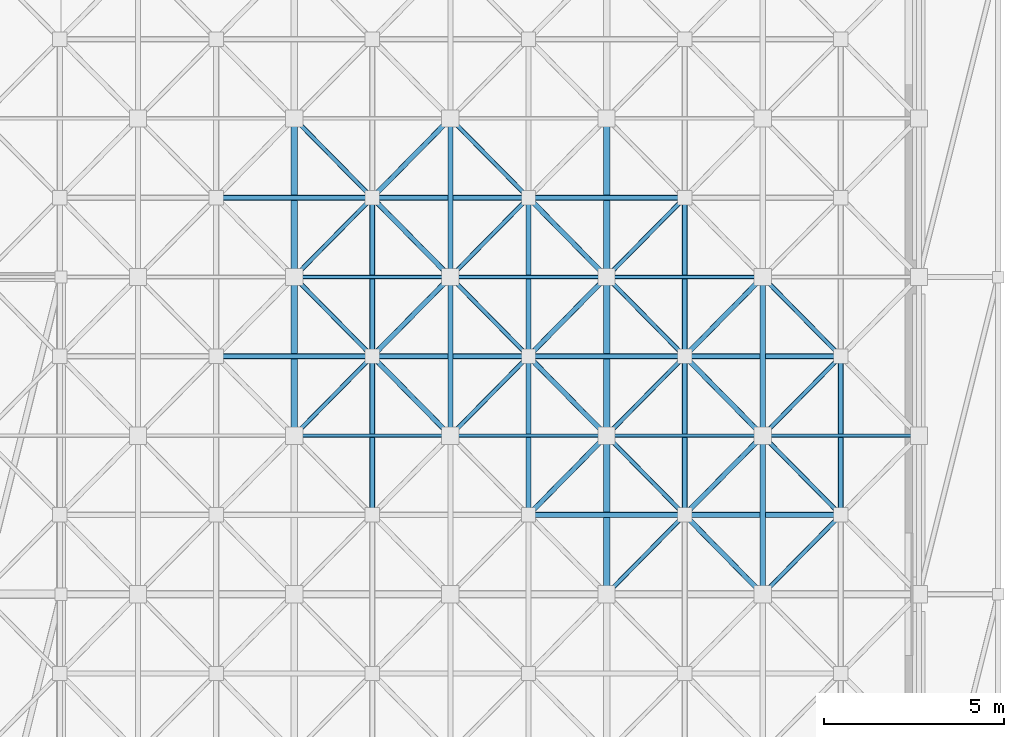
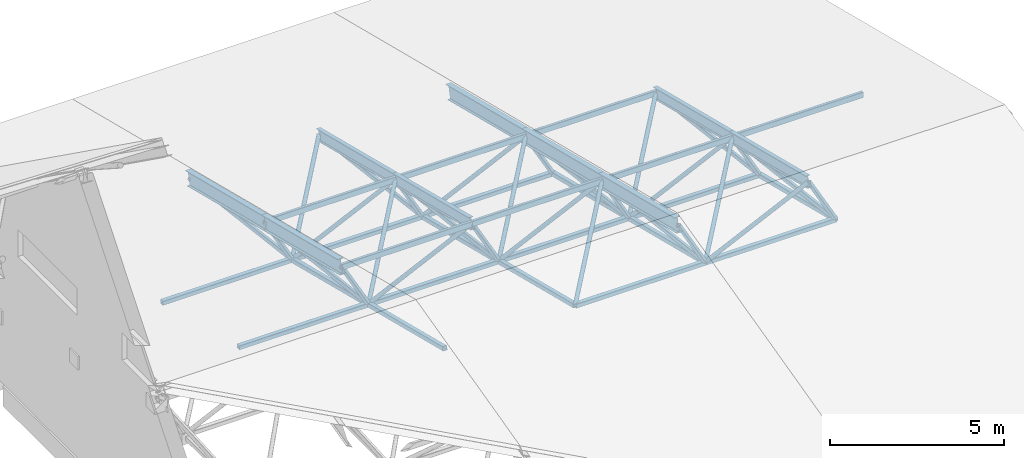
# One storey, part 30 of 55: 61 members.
"""IFC4 building model written with IfcOpenShell, lengths in metres."""

from ifc_helpers import new_model, si_unit, direction, frame, origin, origin_2d, place, context, subcontext, project, spatial, hollow_rectangle, hollow_circle, i_section, extrude, material, material_profile, profile_set, type_object, element, save


model = new_model("IFC4")

# Units and contexts
model_context = context("Model", 3, precision=1e-05, world=origin(), true_north=direction((0.0, 1.0)))
body_context = subcontext(model_context, "Body", "Model", "MODEL_VIEW")
ifc_project = project(units=[si_unit("LENGTHUNIT", "METRE"), si_unit("AREAUNIT", "SQUARE_METRE"), si_unit("VOLUMEUNIT", "CUBIC_METRE"), si_unit("PLANEANGLEUNIT", "RADIAN"), si_unit("MASSUNIT", "GRAM", prefix="KILO")], contexts=[model_context])

# Site, building, storey
site_placement = place(None, origin())
site = spatial("IfcSite", under=ifc_project, at=site_placement, CompositionType="ELEMENT")
building_placement = place(site_placement, origin())
building = spatial("IfcBuilding", under=site, at=building_placement, Name="Varnakota Cinema and Media Centre", CompositionType="ELEMENT")
storey_placement = place(building_placement, frame((0.0, 0.0, 15.60009765625)))
storey = spatial("IfcBuildingStorey", under=building, at=storey_placement, Name="L04", CompositionType="ELEMENT", Elevation=15.60009765625)

# Members
ifc_material_1 = material(Name="Structural steel S355 (YSt 355)", Category="steel")
ifc_material_profile_1 = material_profile(ifc_material_1, hollow_circle(Radius=0.06982421875, WallThickness=0.006103515625, at=origin_2d()), Name="CHS 139.7x6.0")
ifc_profile_set_1 = profile_set([ifc_material_profile_1], Name="Structural steel S355 (YSt 355)")
member_type_1 = type_object("IfcMemberType", Name="MEM-ST-CHS139_7x6_0", PredefinedType="CHORD", material=ifc_profile_set_1)
member_1_placement = place(storey_placement, frame((145.833251953125, 24.199951171875, 0.14990234375), z_axis=(0.47176941823, -0.478998786216, 0.74026601896), x_axis=(0.712462822052, 0.701709859695, 0.0)))
element("IfcMember", 1, at=member_1_placement, inside=storey, type_object=member_type_1, Name="V2 space-truss diagonal 3.6.2", PredefinedType="CHORD", context=body_context, shape_type="SweptSolid", body=[
    extrude(hollow_circle(Radius=0.06982421875, WallThickness=0.006103515625, at=origin_2d()), origin(), (0.0, 0.0, 1.0), 4.5927734375),
])
member_2_placement = place(storey_placement, frame((145.833251953125, 24.199951171875, 0.14990234375), z_axis=(0.562747911139, 0.571371428425, 0.597368796714), x_axis=(-0.712462822052, 0.701709859695, 0.0)))
element("IfcMember", 2, at=member_2_placement, inside=storey, type_object=member_type_1, Name="V2 space-truss diagonal 3.6.4", PredefinedType="CHORD", context=body_context, shape_type="SweptSolid", body=[
    extrude(hollow_circle(Radius=0.06982421875, WallThickness=0.006103515625, at=origin_2d()), origin(), (0.0, 0.0, 1.0), 3.850341796875),
])
member_3_placement = place(storey_placement, frame((145.833251953125, 28.60009765625, -0.9501953125), z_axis=(0.471738843265, -0.479020896395, 0.740271196638), x_axis=(0.712501750553, 0.701670332463, 0.0)))
element("IfcMember", 3, at=member_3_placement, inside=storey, type_object=member_type_1, Name="V2 space-truss diagonal 3.7.2", PredefinedType="CHORD", context=body_context, shape_type="SweptSolid", body=[
    extrude(hollow_circle(Radius=0.06982421875, WallThickness=0.006103515625, at=origin_2d()), origin(), (0.0, 0.0, 1.0), 4.593017578125),
])
member_4_placement = place(storey_placement, frame((145.833251953125, 28.60009765625, -0.9501953125), z_axis=(0.562747911139, 0.571371428425, 0.597368796714), x_axis=(-0.712462822052, 0.701709859695, 0.0)))
element("IfcMember", 4, at=member_4_placement, inside=storey, type_object=member_type_1, Name="V2 space-truss diagonal 3.7.4", PredefinedType="CHORD", context=body_context, shape_type="SweptSolid", body=[
    extrude(hollow_circle(Radius=0.06982421875, WallThickness=0.006103515625, at=origin_2d()), origin(), (0.0, 0.0, 1.0), 3.850341796875),
])
member_5_placement = place(storey_placement, frame((150.166748046875, 19.800048828125, 1.25), z_axis=(0.562725896824, 0.571413461379, 0.597349329286), x_axis=(-0.712502351494, 0.701669722246, 0.0)))
element("IfcMember", 5, at=member_5_placement, inside=storey, type_object=member_type_1, Name="V2 space-truss diagonal 4.5.4", PredefinedType="CHORD", context=body_context, shape_type="SweptSolid", body=[
    extrude(hollow_circle(Radius=0.06982421875, WallThickness=0.006103515625, at=origin_2d()), origin(), (0.0, 0.0, 1.0), 3.85009765625),
])
member_6_placement = place(storey_placement, frame((150.166748046875, 24.199951171875, 0.14990234375), z_axis=(0.471728090545, -0.479010798276, 0.740284582931), x_axis=(0.712502351494, 0.701669722246, 0.0)))
element("IfcMember", 6, at=member_6_placement, inside=storey, type_object=member_type_1, Name="V2 space-truss diagonal 4.6.2", PredefinedType="CHORD", context=body_context, shape_type="SweptSolid", body=[
    extrude(hollow_circle(Radius=0.06982421875, WallThickness=0.006103515625, at=origin_2d()), origin(), (0.0, 0.0, 1.0), 4.5927734375),
])
member_7_placement = place(storey_placement, frame((150.166748046875, 24.199951171875, 0.14990234375), z_axis=(0.562704581049, 0.571391816523, 0.59739011247), x_axis=(-0.712502351494, 0.701669722246, 0.0)))
element("IfcMember", 7, at=member_7_placement, inside=storey, type_object=member_type_1, Name="V2 space-truss diagonal 4.6.4", PredefinedType="CHORD", context=body_context, shape_type="SweptSolid", body=[
    extrude(hollow_circle(Radius=0.06982421875, WallThickness=0.006103515625, at=origin_2d()), origin(), (0.0, 0.0, 1.0), 3.85009765625),
])
member_8_placement = place(storey_placement, frame((150.166748046875, 28.60009765625, -0.9501953125), z_axis=(0.471697516726, -0.479032907453, 0.740289758333), x_axis=(0.7125412777, 0.701630192889, 0.0)))
element("IfcMember", 8, at=member_8_placement, inside=storey, type_object=member_type_1, Name="V2 space-truss diagonal 4.7.2", PredefinedType="CHORD", context=body_context, shape_type="SweptSolid", body=[
    extrude(hollow_circle(Radius=0.06982421875, WallThickness=0.006103515625, at=origin_2d()), origin(), (0.0, 0.0, 1.0), 4.593017578125),
])
member_9_placement = place(storey_placement, frame((154.5, 19.800048828125, 1.25), z_axis=(0.47176941823, -0.478998786216, 0.74026601896), x_axis=(0.712462822052, 0.701709859695, 0.0)))
element("IfcMember", 9, at=member_9_placement, inside=storey, type_object=member_type_1, Name="V2 space-truss diagonal 5.5.2", PredefinedType="CHORD", context=body_context, shape_type="SweptSolid", body=[
    extrude(hollow_circle(Radius=0.06982421875, WallThickness=0.006103515625, at=origin_2d()), origin(), (0.0, 0.0, 1.0), 4.5927734375),
])
member_10_placement = place(storey_placement, frame((154.5, 19.800048828125, 1.25), z_axis=(0.562769227034, 0.571393070964, 0.597328013371), x_axis=(-0.712462822052, 0.701709859695, 0.0)))
element("IfcMember", 10, at=member_10_placement, inside=storey, type_object=member_type_1, Name="V2 space-truss diagonal 5.5.4", PredefinedType="CHORD", context=body_context, shape_type="SweptSolid", body=[
    extrude(hollow_circle(Radius=0.06982421875, WallThickness=0.006103515625, at=origin_2d()), origin(), (0.0, 0.0, 1.0), 3.85009765625),
])
member_11_placement = place(storey_placement, frame((154.5, 24.199951171875, 0.14990234375), z_axis=(0.47176941823, -0.478998786216, 0.74026601896), x_axis=(0.712462822052, 0.701709859695, 0.0)))
element("IfcMember", 11, at=member_11_placement, inside=storey, type_object=member_type_1, Name="V2 space-truss diagonal 5.6.2", PredefinedType="CHORD", context=body_context, shape_type="SweptSolid", body=[
    extrude(hollow_circle(Radius=0.06982421875, WallThickness=0.006103515625, at=origin_2d()), origin(), (0.0, 0.0, 1.0), 4.5927734375),
])
member_12_placement = place(storey_placement, frame((154.5, 24.199951171875, 0.14990234375), z_axis=(0.562747911139, 0.571371428425, 0.597368796714), x_axis=(-0.712462822052, 0.701709859695, 0.0)))
element("IfcMember", 12, at=member_12_placement, inside=storey, type_object=member_type_1, Name="V2 space-truss diagonal 5.6.4", PredefinedType="CHORD", context=body_context, shape_type="SweptSolid", body=[
    extrude(hollow_circle(Radius=0.06982421875, WallThickness=0.006103515625, at=origin_2d()), origin(), (0.0, 0.0, 1.0), 3.850341796875),
])
ifc_material_2 = material(Name="Structural steel Grade 350 (E350)", Category="steel")
ifc_material_profile_2 = material_profile(ifc_material_2, i_section(OverallWidth=0.139892578125, OverallDepth=0.39990234375, WebThickness=0.0087890625, FlangeThickness=0.01611328125, FilletRadius=0.013916015625, at=origin_2d()), Name="ISMB 400")
ifc_profile_set_2 = profile_set([ifc_material_profile_2], Name="Structural steel Grade 350 (E350)")
member_type_2 = type_object("IfcMemberType", Name="MEM-ST-ISMB400", PredefinedType="RAFTER", material=ifc_profile_set_2)
member_13_placement = place(storey_placement, frame((148.0, 22.0, 3.5498046875), z_axis=(0.0, 0.970148832916, -0.242510292547), x_axis=(-1.0, 0.0, 0.0)))
element("IfcMember", 13, at=member_13_placement, inside=storey, type_object=member_type_2, Name="V2 truss rafter 4.6", PredefinedType="RAFTER", context=body_context, shape_type="SweptSolid", body=[
    extrude(i_section(OverallWidth=0.139892578125, OverallDepth=0.39990234375, WebThickness=0.0087890625, FlangeThickness=0.01611328125, FilletRadius=0.013916015625, at=origin_2d()), origin(), (0.0, 0.0, 1.0), 4.535400390625),
])
member_14_placement = place(storey_placement, frame((148.0, 26.39990234375, 2.449951171875), z_axis=(0.0, 0.970139333719, -0.242548290392), x_axis=(-1.0, 0.0, 0.0)))
element("IfcMember", 14, at=member_14_placement, inside=storey, type_object=member_type_2, Name="V2 truss rafter 4.7", PredefinedType="RAFTER", context=body_context, shape_type="SweptSolid", body=[
    extrude(i_section(OverallWidth=0.139892578125, OverallDepth=0.39990234375, WebThickness=0.0087890625, FlangeThickness=0.01611328125, FilletRadius=0.013916015625, at=origin_2d()), origin(), (0.0, 0.0, 1.0), 4.53564453125),
])
for number, where, z_axis, x_axis, name in (
    (15, (156.666748046875, 17.60009765625, 4.64990234375), (0.0, 0.970136166796, -0.242560957029), (-1.0, 0.0, 0.0), "V2 truss rafter 6.5"),
    (16, (156.666748046875, 22.0, 3.5498046875), (0.0, 0.970148832916, -0.242510292547), (-1.0, 0.0, 0.0), "V2 truss rafter 6.6"),
):
    element("IfcMember", number, at=place(storey_placement, frame(where, z_axis=z_axis, x_axis=x_axis)), inside=storey, type_object=member_type_2, Name=name, PredefinedType="RAFTER", context=body_context, shape_type="SweptSolid", body=[
        extrude(i_section(OverallWidth=0.139892578125, OverallDepth=0.39990234375, WebThickness=0.0087890625, FlangeThickness=0.01611328125, FilletRadius=0.013916015625, at=origin_2d()), origin(), (0.0, 0.0, 1.0), 4.535400390625),
    ])
ifc_material_3 = material(Name="Structural steel Grade 350 (E350)", Category="steel")
ifc_material_profile_3 = material_profile(ifc_material_3, i_section(OverallWidth=0.179931640625, OverallDepth=0.5, WebThickness=0.01025390625, FlangeThickness=0.01708984375, FilletRadius=0.01708984375, at=origin_2d()), Name="ISMB 500")
ifc_profile_set_3 = profile_set([ifc_material_profile_3], Name="Structural steel Grade 350 (E350)")
member_type_3 = type_object("IfcMemberType", Name="MEM-ST-ISMB500", PredefinedType="RAFTER", material=ifc_profile_set_3)
member_15_placement = place(storey_placement, frame((143.666748046875, 22.0, 3.5498046875), z_axis=(0.0, 0.970148832916, -0.242510292547), x_axis=(-1.0, 0.0, 0.0)))
element("IfcMember", 17, at=member_15_placement, inside=storey, type_object=member_type_3, Name="V2 truss rafter 3.6", PredefinedType="RAFTER", context=body_context, shape_type="SweptSolid", body=[
    extrude(i_section(OverallWidth=0.179931640625, OverallDepth=0.5, WebThickness=0.01025390625, FlangeThickness=0.01708984375, FilletRadius=0.01708984375, at=origin_2d()), origin(), (0.0, 0.0, 1.0), 4.535400390625),
])
member_16_placement = place(storey_placement, frame((143.666748046875, 26.39990234375, 2.449951171875), z_axis=(0.0, 0.970139333719, -0.242548290392), x_axis=(-1.0, 0.0, 0.0)))
element("IfcMember", 18, at=member_16_placement, inside=storey, type_object=member_type_3, Name="V2 truss rafter 3.7", PredefinedType="RAFTER", context=body_context, shape_type="SweptSolid", body=[
    extrude(i_section(OverallWidth=0.179931640625, OverallDepth=0.5, WebThickness=0.01025390625, FlangeThickness=0.01708984375, FilletRadius=0.01708984375, at=origin_2d()), origin(), (0.0, 0.0, 1.0), 4.53564453125),
])
for number, where, z_axis, x_axis, name in (
    (19, (152.333251953125, 17.60009765625, 4.64990234375), (0.0, 0.970136166796, -0.242560957029), (-1.0, 0.0, 0.0), "V2 truss rafter 5.5"),
    (20, (152.333251953125, 22.0, 3.5498046875), (0.0, 0.970148832916, -0.242510292547), (-1.0, 0.0, 0.0), "V2 truss rafter 5.6"),
):
    element("IfcMember", number, at=place(storey_placement, frame(where, z_axis=z_axis, x_axis=x_axis)), inside=storey, type_object=member_type_3, Name=name, PredefinedType="RAFTER", context=body_context, shape_type="SweptSolid", body=[
        extrude(i_section(OverallWidth=0.179931640625, OverallDepth=0.5, WebThickness=0.01025390625, FlangeThickness=0.01708984375, FilletRadius=0.01708984375, at=origin_2d()), origin(), (0.0, 0.0, 1.0), 4.535400390625),
    ])
member_17_placement = place(storey_placement, frame((152.333251953125, 26.39990234375, 2.449951171875), z_axis=(0.0, 0.970139333719, -0.242548290392), x_axis=(-1.0, 0.0, 0.0)))
element("IfcMember", 21, at=member_17_placement, inside=storey, type_object=member_type_3, Name="V2 truss rafter 5.7", PredefinedType="RAFTER", context=body_context, shape_type="SweptSolid", body=[
    extrude(i_section(OverallWidth=0.179931640625, OverallDepth=0.5, WebThickness=0.01025390625, FlangeThickness=0.01708984375, FilletRadius=0.01708984375, at=origin_2d()), origin(), (0.0, 0.0, 1.0), 4.53564453125),
])
ifc_material_4 = material(Name="Structural steel S355 (YSt 355)", Category="steel")
ifc_material_profile_4 = material_profile(ifc_material_4, hollow_rectangle(XDim=0.10009765625, YDim=0.199951171875, WallThickness=0.006103515625, InnerFilletRadius=0.006103515625, OuterFilletRadius=0.011962890625, at=origin_2d()), Name="RHS 200x100x6")
ifc_profile_set_4 = profile_set([ifc_material_profile_4], Name="Structural steel S355 (YSt 355)")
member_type_4 = type_object("IfcMemberType", Name="MEM-ST-RHS200x100x6", PredefinedType="PURLIN", material=ifc_profile_set_4)
for number, where, z_axis, x_axis, name in (
    (22, (143.666748046875, 22.0, 3.5498046875), (1.0, 0.0, 0.0), (0.0, 1.0, 0.0), "V2 top chord 3.6"),
    (23, (143.666748046875, 26.39990234375, 2.449951171875), (1.0, 0.0, 0.0), (0.0, 1.0, 0.0), "V2 top chord 3.7"),
    (24, (148.0, 22.0, 3.5498046875), (1.0, 0.0, 0.0), (0.0, 1.0, 0.0), "V2 top chord 4.6"),
    (25, (148.0, 26.39990234375, 2.449951171875), (1.0, 0.0, 0.0), (0.0, 1.0, 0.0), "V2 top chord 4.7"),
):
    element("IfcMember", number, at=place(storey_placement, frame(where, z_axis=z_axis, x_axis=x_axis)), inside=storey, type_object=member_type_4, Name=name, PredefinedType="PURLIN", context=body_context, shape_type="SweptSolid", body=[
        extrude(hollow_rectangle(XDim=0.10009765625, YDim=0.199951171875, WallThickness=0.006103515625, InnerFilletRadius=0.006103515625, OuterFilletRadius=0.011962890625, at=origin_2d()), origin(), (0.0, 0.0, 1.0), 4.333251953125),
    ])
for number, where, z_axis, x_axis, name in (
    (26, (152.333251953125, 22.0, 3.5498046875), (1.0, 0.0, 0.0), (0.0, 1.0, 0.0), "V2 top chord 5.6"),
    (27, (152.333251953125, 26.39990234375, 2.449951171875), (1.0, 0.0, 0.0), (0.0, 1.0, 0.0), "V2 top chord 5.7"),
):
    element("IfcMember", number, at=place(storey_placement, frame(where, z_axis=z_axis, x_axis=x_axis)), inside=storey, type_object=member_type_4, Name=name, PredefinedType="PURLIN", context=body_context, shape_type="SweptSolid", body=[
        extrude(hollow_rectangle(XDim=0.10009765625, YDim=0.199951171875, WallThickness=0.006103515625, InnerFilletRadius=0.006103515625, OuterFilletRadius=0.011962890625, at=origin_2d()), origin(), (0.0, 0.0, 1.0), 4.33349609375),
    ])
member_18_placement = place(storey_placement, frame((156.666748046875, 22.0, 3.5498046875), z_axis=(1.0, 0.0, 0.0), x_axis=(0.0, 1.0, 0.0)))
element("IfcMember", 28, at=member_18_placement, inside=storey, type_object=member_type_4, Name="V2 top chord 6.6", PredefinedType="PURLIN", context=body_context, shape_type="SweptSolid", body=[
    extrude(hollow_rectangle(XDim=0.10009765625, YDim=0.199951171875, WallThickness=0.006103515625, InnerFilletRadius=0.006103515625, OuterFilletRadius=0.011962890625, at=origin_2d()), origin(), (0.0, 0.0, 1.0), 4.333251953125),
])
ifc_material_5 = material(Name="Structural steel S355 (YSt 355)", Category="steel")
ifc_material_profile_5 = material_profile(ifc_material_5, hollow_rectangle(XDim=0.1201171875, YDim=0.1201171875, WallThickness=0.006103515625, InnerFilletRadius=0.006103515625, OuterFilletRadius=0.011962890625, at=origin_2d()), Name="SHS 120x120x6")
ifc_profile_set_5 = profile_set([ifc_material_profile_5], Name="Structural steel S355 (YSt 355)")
member_type_5 = type_object("IfcMemberType", Name="MEM-ST-SHS120x120x6", PredefinedType="STRUT", material=ifc_profile_set_5)
member_19_placement = place(storey_placement, frame((145.833251953125, 24.199951171875, 0.14990234375), z_axis=(-0.471728090545, -0.479010798276, 0.740284582931), x_axis=(0.712502351494, -0.701669722246, 0.0)))
element("IfcMember", 29, at=member_19_placement, inside=storey, type_object=member_type_5, Name="V2 space-truss diagonal 3.6.1", PredefinedType="STRUT", context=body_context, shape_type="SweptSolid", body=[
    extrude(hollow_rectangle(XDim=0.1201171875, YDim=0.1201171875, WallThickness=0.006103515625, InnerFilletRadius=0.006103515625, OuterFilletRadius=0.011962890625, at=origin_2d()), origin(), (0.0, 0.0, 1.0), 4.5927734375),
])
member_20_placement = place(storey_placement, frame((145.833251953125, 24.199951171875, 0.14990234375), z_axis=(-0.562704581049, 0.571391816523, 0.59739011247), x_axis=(-0.712502351494, -0.701669722246, 0.0)))
element("IfcMember", 30, at=member_20_placement, inside=storey, type_object=member_type_5, Name="V2 space-truss diagonal 3.6.3", PredefinedType="STRUT", context=body_context, shape_type="SweptSolid", body=[
    extrude(hollow_rectangle(XDim=0.1201171875, YDim=0.1201171875, WallThickness=0.006103515625, InnerFilletRadius=0.006103515625, OuterFilletRadius=0.011962890625, at=origin_2d()), origin(), (0.0, 0.0, 1.0), 3.85009765625),
])
member_21_placement = place(storey_placement, frame((145.833251953125, 28.60009765625, -0.9501953125), z_axis=(-0.471697516726, -0.479032907453, 0.740289758333), x_axis=(0.7125412777, -0.701630192889, 0.0)))
element("IfcMember", 31, at=member_21_placement, inside=storey, type_object=member_type_5, Name="V2 space-truss diagonal 3.7.1", PredefinedType="STRUT", context=body_context, shape_type="SweptSolid", body=[
    extrude(hollow_rectangle(XDim=0.1201171875, YDim=0.1201171875, WallThickness=0.006103515625, InnerFilletRadius=0.006103515625, OuterFilletRadius=0.011962890625, at=origin_2d()), origin(), (0.0, 0.0, 1.0), 4.593017578125),
])
member_22_placement = place(storey_placement, frame((145.833251953125, 28.60009765625, -0.9501953125), z_axis=(-0.562704581049, 0.571391816523, 0.59739011247), x_axis=(-0.712502351494, -0.701669722246, 0.0)))
element("IfcMember", 32, at=member_22_placement, inside=storey, type_object=member_type_5, Name="V2 space-truss diagonal 3.7.3", PredefinedType="STRUT", context=body_context, shape_type="SweptSolid", body=[
    extrude(hollow_rectangle(XDim=0.1201171875, YDim=0.1201171875, WallThickness=0.006103515625, InnerFilletRadius=0.006103515625, OuterFilletRadius=0.011962890625, at=origin_2d()), origin(), (0.0, 0.0, 1.0), 3.85009765625),
])
member_23_placement = place(storey_placement, frame((150.166748046875, 24.199951171875, 0.14990234375), z_axis=(-0.47176941823, -0.478998786216, 0.74026601896), x_axis=(0.712462822052, -0.701709859695, 0.0)))
element("IfcMember", 33, at=member_23_placement, inside=storey, type_object=member_type_5, Name="V2 space-truss diagonal 4.6.1", PredefinedType="STRUT", context=body_context, shape_type="SweptSolid", body=[
    extrude(hollow_rectangle(XDim=0.1201171875, YDim=0.1201171875, WallThickness=0.006103515625, InnerFilletRadius=0.006103515625, OuterFilletRadius=0.011962890625, at=origin_2d()), origin(), (0.0, 0.0, 1.0), 4.5927734375),
])
member_24_placement = place(storey_placement, frame((150.166748046875, 24.199951171875, 0.14990234375), z_axis=(-0.562747911139, 0.571371428425, 0.597368796714), x_axis=(-0.712462822052, -0.701709859695, 0.0)))
element("IfcMember", 34, at=member_24_placement, inside=storey, type_object=member_type_5, Name="V2 space-truss diagonal 4.6.3", PredefinedType="STRUT", context=body_context, shape_type="SweptSolid", body=[
    extrude(hollow_rectangle(XDim=0.1201171875, YDim=0.1201171875, WallThickness=0.006103515625, InnerFilletRadius=0.006103515625, OuterFilletRadius=0.011962890625, at=origin_2d()), origin(), (0.0, 0.0, 1.0), 3.850341796875),
])
member_25_placement = place(storey_placement, frame((150.166748046875, 28.60009765625, -0.9501953125), z_axis=(-0.471738843265, -0.479020896395, 0.740271196638), x_axis=(0.712501750553, -0.701670332463, 0.0)))
element("IfcMember", 35, at=member_25_placement, inside=storey, type_object=member_type_5, Name="V2 space-truss diagonal 4.7.1", PredefinedType="STRUT", context=body_context, shape_type="SweptSolid", body=[
    extrude(hollow_rectangle(XDim=0.1201171875, YDim=0.1201171875, WallThickness=0.006103515625, InnerFilletRadius=0.006103515625, OuterFilletRadius=0.011962890625, at=origin_2d()), origin(), (0.0, 0.0, 1.0), 4.593017578125),
])
member_26_placement = place(storey_placement, frame((150.166748046875, 28.60009765625, -0.9501953125), z_axis=(-0.562747911139, 0.571371428425, 0.597368796714), x_axis=(-0.712462822052, -0.701709859695, 0.0)))
element("IfcMember", 36, at=member_26_placement, inside=storey, type_object=member_type_5, Name="V2 space-truss diagonal 4.7.3", PredefinedType="STRUT", context=body_context, shape_type="SweptSolid", body=[
    extrude(hollow_rectangle(XDim=0.1201171875, YDim=0.1201171875, WallThickness=0.006103515625, InnerFilletRadius=0.006103515625, OuterFilletRadius=0.011962890625, at=origin_2d()), origin(), (0.0, 0.0, 1.0), 3.850341796875),
])
member_27_placement = place(storey_placement, frame((154.5, 19.800048828125, 1.25), z_axis=(-0.47176941823, -0.478998786216, 0.74026601896), x_axis=(0.712462822052, -0.701709859695, 0.0)))
element("IfcMember", 37, at=member_27_placement, inside=storey, type_object=member_type_5, Name="V2 space-truss diagonal 5.5.1", PredefinedType="STRUT", context=body_context, shape_type="SweptSolid", body=[
    extrude(hollow_rectangle(XDim=0.1201171875, YDim=0.1201171875, WallThickness=0.006103515625, InnerFilletRadius=0.006103515625, OuterFilletRadius=0.011962890625, at=origin_2d()), origin(), (0.0, 0.0, 1.0), 4.5927734375),
])
member_28_placement = place(storey_placement, frame((154.5, 19.800048828125, 1.25), z_axis=(-0.562769227034, 0.571393070964, 0.597328013371), x_axis=(-0.712462822052, -0.701709859695, 0.0)))
element("IfcMember", 38, at=member_28_placement, inside=storey, type_object=member_type_5, Name="V2 space-truss diagonal 5.5.3", PredefinedType="STRUT", context=body_context, shape_type="SweptSolid", body=[
    extrude(hollow_rectangle(XDim=0.1201171875, YDim=0.1201171875, WallThickness=0.006103515625, InnerFilletRadius=0.006103515625, OuterFilletRadius=0.011962890625, at=origin_2d()), origin(), (0.0, 0.0, 1.0), 3.85009765625),
])
member_29_placement = place(storey_placement, frame((154.5, 24.199951171875, 0.14990234375), z_axis=(-0.47176941823, -0.478998786216, 0.74026601896), x_axis=(0.712462822052, -0.701709859695, 0.0)))
element("IfcMember", 39, at=member_29_placement, inside=storey, type_object=member_type_5, Name="V2 space-truss diagonal 5.6.1", PredefinedType="STRUT", context=body_context, shape_type="SweptSolid", body=[
    extrude(hollow_rectangle(XDim=0.1201171875, YDim=0.1201171875, WallThickness=0.006103515625, InnerFilletRadius=0.006103515625, OuterFilletRadius=0.011962890625, at=origin_2d()), origin(), (0.0, 0.0, 1.0), 4.5927734375),
])
member_30_placement = place(storey_placement, frame((154.5, 24.199951171875, 0.14990234375), z_axis=(-0.562747911139, 0.571371428425, 0.597368796714), x_axis=(-0.712462822052, -0.701709859695, 0.0)))
element("IfcMember", 40, at=member_30_placement, inside=storey, type_object=member_type_5, Name="V2 space-truss diagonal 5.6.3", PredefinedType="STRUT", context=body_context, shape_type="SweptSolid", body=[
    extrude(hollow_rectangle(XDim=0.1201171875, YDim=0.1201171875, WallThickness=0.006103515625, InnerFilletRadius=0.006103515625, OuterFilletRadius=0.011962890625, at=origin_2d()), origin(), (0.0, 0.0, 1.0), 3.850341796875),
])
member_31_placement = place(storey_placement, frame((154.5, 28.60009765625, -0.9501953125), z_axis=(-0.471738843265, -0.479020896395, 0.740271196638), x_axis=(0.712501750553, -0.701670332463, 0.0)))
element("IfcMember", 41, at=member_31_placement, inside=storey, type_object=member_type_5, Name="V2 space-truss diagonal 5.7.1", PredefinedType="STRUT", context=body_context, shape_type="SweptSolid", body=[
    extrude(hollow_rectangle(XDim=0.1201171875, YDim=0.1201171875, WallThickness=0.006103515625, InnerFilletRadius=0.006103515625, OuterFilletRadius=0.011962890625, at=origin_2d()), origin(), (0.0, 0.0, 1.0), 4.593017578125),
])
member_32_placement = place(storey_placement, frame((158.833251953125, 19.800048828125, 1.25), z_axis=(-0.471728090545, -0.479010798276, 0.740284582931), x_axis=(0.712502351494, -0.701669722246, 0.0)))
element("IfcMember", 42, at=member_32_placement, inside=storey, type_object=member_type_5, Name="V2 space-truss diagonal 6.5.1", PredefinedType="STRUT", context=body_context, shape_type="SweptSolid", body=[
    extrude(hollow_rectangle(XDim=0.1201171875, YDim=0.1201171875, WallThickness=0.006103515625, InnerFilletRadius=0.006103515625, OuterFilletRadius=0.011962890625, at=origin_2d()), origin(), (0.0, 0.0, 1.0), 4.5927734375),
])
member_33_placement = place(storey_placement, frame((158.833251953125, 19.800048828125, 1.25), z_axis=(-0.562725896824, 0.571413461379, 0.597349329286), x_axis=(-0.712502351494, -0.701669722246, 0.0)))
element("IfcMember", 43, at=member_33_placement, inside=storey, type_object=member_type_5, Name="V2 space-truss diagonal 6.5.3", PredefinedType="STRUT", context=body_context, shape_type="SweptSolid", body=[
    extrude(hollow_rectangle(XDim=0.1201171875, YDim=0.1201171875, WallThickness=0.006103515625, InnerFilletRadius=0.006103515625, OuterFilletRadius=0.011962890625, at=origin_2d()), origin(), (0.0, 0.0, 1.0), 3.85009765625),
])
member_34_placement = place(storey_placement, frame((158.833251953125, 24.199951171875, 0.14990234375), z_axis=(-0.471728090545, -0.479010798276, 0.740284582931), x_axis=(0.712502351494, -0.701669722246, 0.0)))
element("IfcMember", 44, at=member_34_placement, inside=storey, type_object=member_type_5, Name="V2 space-truss diagonal 6.6.1", PredefinedType="STRUT", context=body_context, shape_type="SweptSolid", body=[
    extrude(hollow_rectangle(XDim=0.1201171875, YDim=0.1201171875, WallThickness=0.006103515625, InnerFilletRadius=0.006103515625, OuterFilletRadius=0.011962890625, at=origin_2d()), origin(), (0.0, 0.0, 1.0), 4.5927734375),
])
member_35_placement = place(storey_placement, frame((158.833251953125, 24.199951171875, 0.14990234375), z_axis=(-0.562704581049, 0.571391816523, 0.59739011247), x_axis=(-0.712502351494, -0.701669722246, 0.0)))
element("IfcMember", 45, at=member_35_placement, inside=storey, type_object=member_type_5, Name="V2 space-truss diagonal 6.6.3", PredefinedType="STRUT", context=body_context, shape_type="SweptSolid", body=[
    extrude(hollow_rectangle(XDim=0.1201171875, YDim=0.1201171875, WallThickness=0.006103515625, InnerFilletRadius=0.006103515625, OuterFilletRadius=0.011962890625, at=origin_2d()), origin(), (0.0, 0.0, 1.0), 3.85009765625),
])
ifc_material_6 = material(Name="Structural steel S355 (YSt 355)", Category="steel")
ifc_material_profile_6 = material_profile(ifc_material_6, hollow_rectangle(XDim=0.14990234375, YDim=0.14990234375, WallThickness=0.008056640625, InnerFilletRadius=0.008056640625, OuterFilletRadius=0.01611328125, at=origin_2d()), Name="SHS 150x150x8")
ifc_profile_set_6 = profile_set([ifc_material_profile_6], Name="Structural steel S355 (YSt 355)")
member_type_6 = type_object("IfcMemberType", Name="MEM-ST-SHS150x150x8", PredefinedType="STRUT", material=ifc_profile_set_6)
for number, where, z_axis, x_axis, name in (
    (46, (141.5, 24.199951171875, 0.14990234375), (1.0, 0.0, 0.0), (0.0, 1.0, 0.0), "V2 bottom longitudinal chord 2.6"),
    (47, (141.5, 28.60009765625, -0.9501953125), (1.0, 0.0, 0.0), (0.0, 1.0, 0.0), "V2 bottom longitudinal chord 2.7"),
):
    element("IfcMember", number, at=place(storey_placement, frame(where, z_axis=z_axis, x_axis=x_axis)), inside=storey, type_object=member_type_6, Name=name, PredefinedType="STRUT", context=body_context, shape_type="SweptSolid", body=[
        extrude(hollow_rectangle(XDim=0.14990234375, YDim=0.14990234375, WallThickness=0.008056640625, InnerFilletRadius=0.008056640625, OuterFilletRadius=0.01611328125, at=origin_2d()), origin(), (0.0, 0.0, 1.0), 4.333251953125),
    ])
for number, where, z_axis, x_axis, name in (
    (48, (145.833251953125, 24.199951171875, 0.14990234375), (1.0, 0.0, 0.0), (0.0, 1.0, 0.0), "V2 bottom longitudinal chord 3.6"),
    (49, (145.833251953125, 28.60009765625, -0.9501953125), (1.0, 0.0, 0.0), (0.0, 1.0, 0.0), "V2 bottom longitudinal chord 3.7"),
):
    element("IfcMember", number, at=place(storey_placement, frame(where, z_axis=z_axis, x_axis=x_axis)), inside=storey, type_object=member_type_6, Name=name, PredefinedType="STRUT", context=body_context, shape_type="SweptSolid", body=[
        extrude(hollow_rectangle(XDim=0.14990234375, YDim=0.14990234375, WallThickness=0.008056640625, InnerFilletRadius=0.008056640625, OuterFilletRadius=0.01611328125, at=origin_2d()), origin(), (0.0, 0.0, 1.0), 4.33349609375),
    ])
for number, where, z_axis, x_axis, name in (
    (50, (150.166748046875, 19.800048828125, 1.25), (1.0, 0.0, 0.0), (0.0, 1.0, 0.0), "V2 bottom longitudinal chord 4.5"),
    (51, (150.166748046875, 24.199951171875, 0.14990234375), (1.0, 0.0, 0.0), (0.0, 1.0, 0.0), "V2 bottom longitudinal chord 4.6"),
    (52, (150.166748046875, 28.60009765625, -0.9501953125), (1.0, 0.0, 0.0), (0.0, 1.0, 0.0), "V2 bottom longitudinal chord 4.7"),
    (53, (154.5, 19.800048828125, 1.25), (1.0, 0.0, 0.0), (0.0, 1.0, 0.0), "V2 bottom longitudinal chord 5.5"),
    (54, (154.5, 24.199951171875, 0.14990234375), (1.0, 0.0, 0.0), (0.0, 1.0, 0.0), "V2 bottom longitudinal chord 5.6"),
):
    element("IfcMember", number, at=place(storey_placement, frame(where, z_axis=z_axis, x_axis=x_axis)), inside=storey, type_object=member_type_6, Name=name, PredefinedType="STRUT", context=body_context, shape_type="SweptSolid", body=[
        extrude(hollow_rectangle(XDim=0.14990234375, YDim=0.14990234375, WallThickness=0.008056640625, InnerFilletRadius=0.008056640625, OuterFilletRadius=0.01611328125, at=origin_2d()), origin(), (0.0, 0.0, 1.0), 4.333251953125),
    ])
member_36_placement = place(storey_placement, frame((145.833251953125, 19.800048828125, 1.25), z_axis=(0.0, 0.970136166796, -0.242560957029), x_axis=(-1.0, 0.0, 0.0)))
element("IfcMember", 55, at=member_36_placement, inside=storey, type_object=member_type_6, Name="V2 bottom transverse chord 3.5", PredefinedType="STRUT", context=body_context, shape_type="SweptSolid", body=[
    extrude(hollow_rectangle(XDim=0.14990234375, YDim=0.14990234375, WallThickness=0.008056640625, InnerFilletRadius=0.008056640625, OuterFilletRadius=0.01611328125, at=origin_2d()), origin(), (0.0, 0.0, 1.0), 4.535400390625),
])
member_37_placement = place(storey_placement, frame((145.833251953125, 24.199951171875, 0.14990234375), z_axis=(0.0, 0.970139333719, -0.242548290392), x_axis=(-1.0, 0.0, 0.0)))
element("IfcMember", 56, at=member_37_placement, inside=storey, type_object=member_type_6, Name="V2 bottom transverse chord 3.6", PredefinedType="STRUT", context=body_context, shape_type="SweptSolid", body=[
    extrude(hollow_rectangle(XDim=0.14990234375, YDim=0.14990234375, WallThickness=0.008056640625, InnerFilletRadius=0.008056640625, OuterFilletRadius=0.01611328125, at=origin_2d()), origin(), (0.0, 0.0, 1.0), 4.53564453125),
])
member_38_placement = place(storey_placement, frame((150.166748046875, 19.800048828125, 1.25), z_axis=(0.0, 0.970136166796, -0.242560957029), x_axis=(-1.0, 0.0, 0.0)))
element("IfcMember", 57, at=member_38_placement, inside=storey, type_object=member_type_6, Name="V2 bottom transverse chord 4.5", PredefinedType="STRUT", context=body_context, shape_type="SweptSolid", body=[
    extrude(hollow_rectangle(XDim=0.14990234375, YDim=0.14990234375, WallThickness=0.008056640625, InnerFilletRadius=0.008056640625, OuterFilletRadius=0.01611328125, at=origin_2d()), origin(), (0.0, 0.0, 1.0), 4.535400390625),
])
member_39_placement = place(storey_placement, frame((150.166748046875, 24.199951171875, 0.14990234375), z_axis=(0.0, 0.970139333719, -0.242548290392), x_axis=(-1.0, 0.0, 0.0)))
element("IfcMember", 58, at=member_39_placement, inside=storey, type_object=member_type_6, Name="V2 bottom transverse chord 4.6", PredefinedType="STRUT", context=body_context, shape_type="SweptSolid", body=[
    extrude(hollow_rectangle(XDim=0.14990234375, YDim=0.14990234375, WallThickness=0.008056640625, InnerFilletRadius=0.008056640625, OuterFilletRadius=0.01611328125, at=origin_2d()), origin(), (0.0, 0.0, 1.0), 4.53564453125),
])
member_40_placement = place(storey_placement, frame((154.5, 19.800048828125, 1.25), z_axis=(0.0, 0.970136166796, -0.242560957029), x_axis=(-1.0, 0.0, 0.0)))
element("IfcMember", 59, at=member_40_placement, inside=storey, type_object=member_type_6, Name="V2 bottom transverse chord 5.5", PredefinedType="STRUT", context=body_context, shape_type="SweptSolid", body=[
    extrude(hollow_rectangle(XDim=0.14990234375, YDim=0.14990234375, WallThickness=0.008056640625, InnerFilletRadius=0.008056640625, OuterFilletRadius=0.01611328125, at=origin_2d()), origin(), (0.0, 0.0, 1.0), 4.535400390625),
])
member_41_placement = place(storey_placement, frame((154.5, 24.199951171875, 0.14990234375), z_axis=(0.0, 0.970139333719, -0.242548290392), x_axis=(-1.0, 0.0, 0.0)))
element("IfcMember", 60, at=member_41_placement, inside=storey, type_object=member_type_6, Name="V2 bottom transverse chord 5.6", PredefinedType="STRUT", context=body_context, shape_type="SweptSolid", body=[
    extrude(hollow_rectangle(XDim=0.14990234375, YDim=0.14990234375, WallThickness=0.008056640625, InnerFilletRadius=0.008056640625, OuterFilletRadius=0.01611328125, at=origin_2d()), origin(), (0.0, 0.0, 1.0), 4.53564453125),
])
member_42_placement = place(storey_placement, frame((158.833251953125, 19.800048828125, 1.25), z_axis=(0.0, 0.970136166796, -0.242560957029), x_axis=(-1.0, 0.0, 0.0)))
element("IfcMember", 61, at=member_42_placement, inside=storey, type_object=member_type_6, Name="V2 bottom transverse chord 6.5", PredefinedType="STRUT", context=body_context, shape_type="SweptSolid", body=[
    extrude(hollow_rectangle(XDim=0.14990234375, YDim=0.14990234375, WallThickness=0.008056640625, InnerFilletRadius=0.008056640625, OuterFilletRadius=0.01611328125, at=origin_2d()), origin(), (0.0, 0.0, 1.0), 4.535400390625),
])

save(model, "model.ifc")
